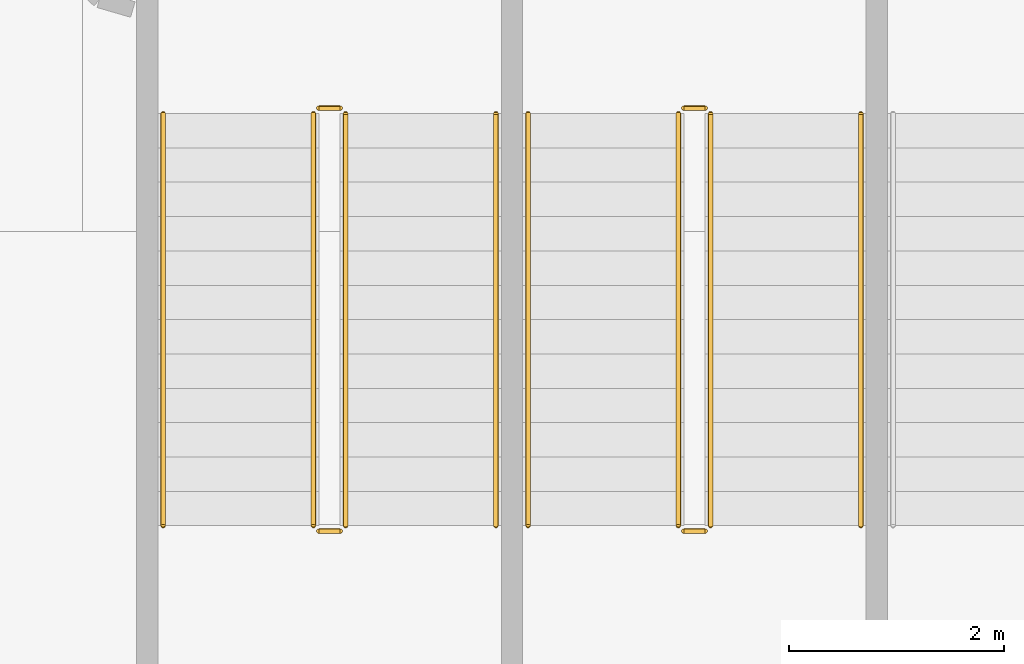
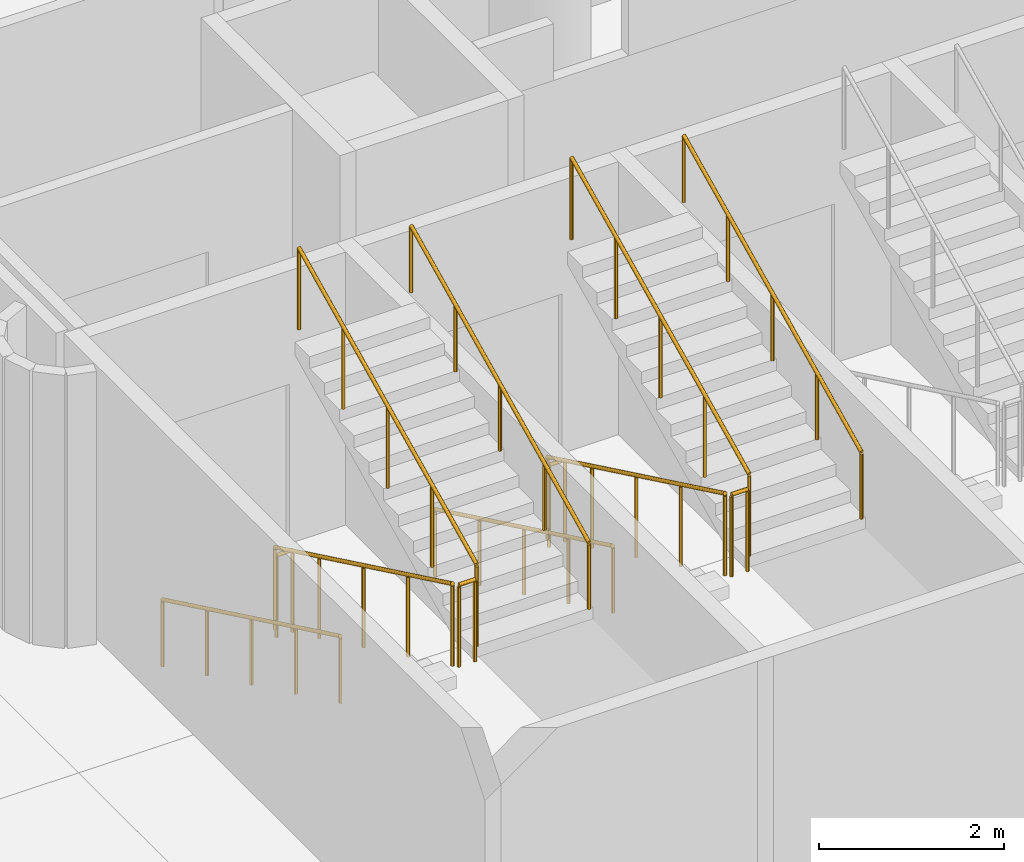
# One storey, part 113 of 142: 12 railings.
"""IFC4 building model written with IfcOpenShell, lengths in metres."""

import ifcopenshell
import ifcopenshell.guid

model = None  # the IFC model being written
_history = None  # IfcOwnerHistory: only IFC2X3 demands one
_inside = {}  # id of a spatial element -> (the spatial element, [elements in it])
_under = {}  # id of a project, library or spatial element -> (it, [spatial elements below it])
_declared = {}  # id of a project -> (the project, [libraries it declares])
_typed = {}  # id of a type object -> (the type object, [elements of that type])
_made_of = {}  # id of a material, layer set ... -> (it, [elements and type objects made of it])


def new_model(schema):
    """Start an empty IFC model of exactly this schema.

    Asked for "IFC4X3", IfcOpenShell would pick the latest addendum, in which some entities
    have other attributes; the version numbers below select the first issue.
    IFC2X3 requires an IfcOwnerHistory on every rooted entity: one is made here for all.
    """
    global model, _history
    if schema == "IFC4X3":
        model = ifcopenshell.file(schema_version=(4, 3, 0, 0))
    else:
        model = ifcopenshell.file(schema=schema)
    _inside.clear()
    _under.clear()
    _declared.clear()
    _typed.clear()
    _made_of.clear()
    _history = None
    if model.schema == "IFC2X3":
        org = make("IfcOrganization", Name="unknown")
        user = make(
            "IfcPersonAndOrganization",
            ThePerson=make("IfcPerson", FamilyName="unknown"),
            TheOrganization=org,
        )
        app = make(
            "IfcApplication",
            ApplicationDeveloper=org,
            Version="unknown",
            ApplicationFullName="unknown",
            ApplicationIdentifier="unknown",
        )
        _history = make(
            "IfcOwnerHistory",
            OwningUser=user,
            OwningApplication=app,
            ChangeAction="ADDED",
            CreationDate=0,
        )
    return model


def make(cls, **values):
    """One entity of the class cls with the attributes given. An attribute that is None is left unset."""
    return model.create_entity(
        cls, **{name: value for name, value in values.items() if value is not None}
    )


def rooted(cls, **values):
    """An entity with a GlobalId (a new one), such as an element, a storey or a relation."""
    return make(cls, GlobalId=ifcopenshell.guid.new(), OwnerHistory=_history, **values)


def si_unit(unit_type, name, prefix=None):
    """IfcSIUnit, for example si_unit("LENGTHUNIT", "METRE", prefix="MILLI")."""
    return make("IfcSIUnit", UnitType=unit_type, Prefix=prefix, Name=name)


def assignment(units):
    """IfcUnitAssignment: the units of a project."""
    return None if units is None else make("IfcUnitAssignment", Units=units)


def point(xyz):
    """IfcCartesianPoint."""
    return None if xyz is None else make("IfcCartesianPoint", Coordinates=xyz)


def direction(xyz):
    """IfcDirection."""
    return None if xyz is None else make("IfcDirection", DirectionRatios=xyz)


def frame(location, z_axis=None, x_axis=None):
    """IfcAxis2Placement3D, a coordinate frame: its origin and axes. An axis left out is left unset."""
    return make(
        "IfcAxis2Placement3D",
        Location=point(location),
        Axis=direction(z_axis),
        RefDirection=direction(x_axis),
    )


def frame_2d(location, x_axis=None):
    """IfcAxis2Placement2D, a coordinate frame in the plane: its origin and x axis."""
    return make(
        "IfcAxis2Placement2D", Location=point(location), RefDirection=direction(x_axis)
    )


def origin():
    """The frame at (0, 0, 0) with its axes left unset."""
    return frame((0.0, 0.0, 0.0))


def origin_2d():
    """The frame at (0, 0) in the plane with its x axis left unset."""
    return frame_2d((0.0, 0.0))


def place(relative_to, where):
    """IfcLocalPlacement: puts the frame where relative to a parent placement (None: the world)."""
    return make(
        "IfcLocalPlacement", PlacementRelTo=relative_to, RelativePlacement=where
    )


def context(
    kind, dimensions, precision=None, world=None, true_north=None, identifier=None
):
    """IfcGeometricRepresentationContext, for example the 3D "Model" context."""
    return make(
        "IfcGeometricRepresentationContext",
        ContextIdentifier=identifier,
        ContextType=kind,
        CoordinateSpaceDimension=dimensions,
        Precision=precision,
        WorldCoordinateSystem=world,
        TrueNorth=true_north,
    )


def subcontext(parent, identifier, kind, view, scale=None):
    """IfcGeometricRepresentationSubContext, for example "Body" below "Model"."""
    return make(
        "IfcGeometricRepresentationSubContext",
        ContextIdentifier=identifier,
        ContextType=kind,
        ParentContext=parent,
        TargetScale=scale,
        TargetView=view,
    )


def project(units=None, contexts=None):
    """IfcProject with its units and contexts."""
    return rooted(
        "IfcProject",
        Name="project",
        RepresentationContexts=contexts,
        UnitsInContext=assignment(units),
    )


def spatial(cls, under=None, at=None, **own):
    """A site, building, storey or space (cls), placed at a placement, below another one or the project."""
    s = rooted(cls, ObjectPlacement=at, **own)
    if under is not None:
        _under.setdefault(under.id(), (under, []))[1].append(s)
    return s


def profile(cls, at=None, kind="AREA", **sizes):
    """A parametric profile (cls). Its sizes go by their IFC names, for example OverallWidth=200.0."""
    return make(cls, ProfileType=kind, Position=at, **sizes)


def circle(**sizes):
    """IfcCircleProfileDef."""
    return profile("IfcCircleProfileDef", **sizes)


def extrude(swept, where, along, depth):
    """IfcExtrudedAreaSolid: the profile swept, set in the frame where, extruded along a direction by depth."""
    return make(
        "IfcExtrudedAreaSolid",
        SweptArea=swept,
        Position=where,
        ExtrudedDirection=direction(along),
        Depth=depth,
    )


def shape(context_of_items, identifier, shape_type, items):
    """IfcShapeRepresentation: the items that make up one representation, for example the "Body"."""
    return make(
        "IfcShapeRepresentation",
        ContextOfItems=context_of_items,
        RepresentationIdentifier=identifier,
        RepresentationType=shape_type,
        Items=items,
    )


def material(Name=None, Category=None):
    """IfcMaterial."""
    return make("IfcMaterial", Name=Name, Category=Category)


def made_of(thing, what):
    """Note that an element or type object is made of a material, layer set ...; save() writes the relation."""
    if what is not None:
        _made_of.setdefault(what.id(), (what, []))[1].append(thing)
    return thing


def type_object(cls, material=None, **own):
    """A type object (cls), such as IfcWallType, which elements share."""
    return made_of(rooted(cls, **own), material)


def element(
    cls,
    number,
    at=None,
    inside=None,
    cuts=None,
    type_object=None,
    material=None,
    context=None,
    identifier="Body",
    shape_type=None,
    held_by="IfcProductDefinitionShape",
    body=None,
    shapes=None,
    **own,
):
    """One element of the class cls, such as IfcWall. Its Tag is "e" and its number.

    at: its placement. inside: the storey or other place that contains it. cuts: it is an
    opening in that element (IfcRelVoidsElement). A single representation is given by context,
    identifier, shape_type and body (its items); several are given by shapes. held_by: the class
    of the entity that holds the representations. save() writes the other relations.
    """
    e = rooted(cls, Tag="e%d" % number, ObjectPlacement=at, **own)
    if body is not None:
        shapes = [shape(context, identifier, shape_type, body)]
    if shapes is not None:
        e.Representation = make(held_by, Representations=shapes)
    if inside is not None:
        _inside.setdefault(inside.id(), (inside, []))[1].append(e)
    if cuts is not None:
        rooted(
            "IfcRelVoidsElement", RelatingBuildingElement=cuts, RelatedOpeningElement=e
        )
    if type_object is not None:
        _typed.setdefault(type_object.id(), (type_object, []))[1].append(e)
    return made_of(e, material)


def aggregate(whole, parts):
    """IfcRelAggregates: a whole, such as a stair, and the parts it consists of."""
    return rooted("IfcRelAggregates", RelatingObject=whole, RelatedObjects=parts)


def save(model, path):
    """Write the relations noted so far, then the file.

    IfcRelAggregates (storeys below a building ...), IfcRelContainedInSpatialStructure (elements
    in a storey), IfcRelDefinesByType, IfcRelAssociatesMaterial and IfcRelDeclares: one each for
    every whole, place, type object, material and project.
    """
    for whole, parts in _under.values():
        aggregate(whole, parts)
    for where, things in _inside.values():
        rooted(
            "IfcRelContainedInSpatialStructure",
            RelatedElements=things,
            RelatingStructure=where,
        )
    for kind, things in _typed.values():
        rooted("IfcRelDefinesByType", RelatedObjects=things, RelatingType=kind)
    for what, things in _made_of.values():
        rooted("IfcRelAssociatesMaterial", RelatedObjects=things, RelatingMaterial=what)
    for by, libraries in _declared.values():
        rooted("IfcRelDeclares", RelatingContext=by, RelatedDefinitions=libraries)
    model.write(path)


model = new_model("IFC4")

# Units and contexts
model_context = context("Model", 3, precision=1e-05, world=origin(), true_north=direction((0.0, 1.0)))
body_context = subcontext(model_context, "Body", "Model", "MODEL_VIEW")
ifc_project = project(units=[si_unit("LENGTHUNIT", "METRE"), si_unit("AREAUNIT", "SQUARE_METRE"), si_unit("VOLUMEUNIT", "CUBIC_METRE"), si_unit("PLANEANGLEUNIT", "RADIAN"), si_unit("MASSUNIT", "GRAM", prefix="KILO")], contexts=[model_context])

# Site, building, storey
site_placement = place(None, origin())
site = spatial("IfcSite", under=ifc_project, at=site_placement, CompositionType="ELEMENT")
building_placement = place(site_placement, origin())
building = spatial("IfcBuilding", under=site, at=building_placement, Name="Meseta Stadium", CompositionType="ELEMENT")
storey_placement = place(building_placement, frame((0.0, 0.0, -4.0)))
storey = spatial("IfcBuildingStorey", under=building, at=storey_placement, Name="B1", CompositionType="ELEMENT", Elevation=-4.0)

# Railings
ifc_material_1 = material(Name="Steel S355", Category="steel")
railing_type_1 = type_object("IfcRailingType", Name="Stair guard 1100", PredefinedType="GUARDRAIL", material=ifc_material_1)
railing_1_placement = place(storey_placement, frame((-12.916748046875, -94.89990234375, 0.15380859375)))
element("IfcRailing", 1, at=railing_1_placement, inside=storey, type_object=railing_type_1, Name="ST93 B1 guard 1", PredefinedType="GUARDRAIL", context=body_context, shape_type="SweptSolid", body=[
    extrude(circle(Radius=0.02392578125, at=origin_2d()), frame((0.0, 0.0, 1.076171875), z_axis=(0.0, -0.901252854825, 0.433293539843), x_axis=(1.0, 0.0, 0.0)), (0.0, 0.0, 1.0), 4.2607421875),
    extrude(circle(Radius=0.02099609375, at=origin_2d()), origin(), (0.0, 0.0, 1.0), 1.052001953125),
    extrude(circle(Radius=0.02099609375, at=origin_2d()), frame((0.0, -0.9599609375, 0.46142578125)), (0.0, 0.0, 1.0), 1.052001953125),
    extrude(circle(Radius=0.02099609375, at=origin_2d()), frame((0.0, -1.919921875, 0.923095703125)), (0.0, 0.0, 1.0), 1.052001953125),
    extrude(circle(Radius=0.02099609375, at=origin_2d()), frame((0.0, -2.880126953125, 1.384765625)), (0.0, 0.0, 1.0), 1.052001953125),
    extrude(circle(Radius=0.02099609375, at=origin_2d()), frame((0.0, -3.840087890625, 1.84619140625)), (0.0, 0.0, 1.0), 1.052001953125),
])
railing_2_placement = place(storey_placement, frame((-12.86669921875, -98.7900390625, 2.0)))
element("IfcRailing", 2, at=railing_2_placement, inside=storey, type_object=railing_type_1, Name="ST93 B1 guard 2", PredefinedType="GUARDRAIL", context=body_context, shape_type="SweptSolid", body=[
    extrude(circle(Radius=0.02392578125, at=origin_2d()), frame((0.0, 0.0, 1.076171875), z_axis=(1.0, 0.0, 0.0), x_axis=(0.0, 1.0, 0.0)), (0.0, 0.0, 1.0), 0.199951171875),
    extrude(circle(Radius=0.02099609375, at=origin_2d()), origin(), (0.0, 0.0, 1.0), 1.052001953125),
    extrude(circle(Radius=0.02099609375, at=origin_2d()), frame((0.199951171875, 0.0, 0.0)), (0.0, 0.0, 1.0), 1.052001953125),
])
railing_3_placement = place(storey_placement, frame((-12.61669921875, -98.739990234375, 2.15380859375)))
element("IfcRailing", 3, at=railing_3_placement, inside=storey, type_object=railing_type_1, Name="ST93 B1 guard 3", PredefinedType="GUARDRAIL", context=body_context, shape_type="SweptSolid", body=[
    extrude(circle(Radius=0.02392578125, at=origin_2d()), frame((0.0, 0.0, 1.076171875), z_axis=(0.0, 0.901252854825, 0.433293539843), x_axis=(-1.0, 0.0, 0.0)), (0.0, 0.0, 1.0), 4.2607421875),
    extrude(circle(Radius=0.02099609375, at=origin_2d()), origin(), (0.0, 0.0, 1.0), 1.052001953125),
    extrude(circle(Radius=0.02099609375, at=origin_2d()), frame((0.0, 0.9599609375, 0.46142578125)), (0.0, 0.0, 1.0), 1.052001953125),
    extrude(circle(Radius=0.02099609375, at=origin_2d()), frame((0.0, 1.919921875, 0.923095703125)), (0.0, 0.0, 1.0), 1.052001953125),
    extrude(circle(Radius=0.02099609375, at=origin_2d()), frame((0.0, 2.880126953125, 1.384765625)), (0.0, 0.0, 1.0), 1.052001953125),
    extrude(circle(Radius=0.02099609375, at=origin_2d()), frame((0.0, 3.840087890625, 1.84619140625)), (0.0, 0.0, 1.0), 1.052001953125),
])
railing_4_placement = place(storey_placement, frame((-12.86669921875, -94.85009765625, 0.0)))
element("IfcRailing", 4, at=railing_4_placement, inside=storey, type_object=railing_type_1, Name="ST93 B1 guard 4", PredefinedType="GUARDRAIL", context=body_context, shape_type="SweptSolid", body=[
    extrude(circle(Radius=0.02392578125, at=origin_2d()), frame((0.0, 0.0, 1.076171875), z_axis=(1.0, 0.0, 0.0), x_axis=(0.0, 1.0, 0.0)), (0.0, 0.0, 1.0), 0.199951171875),
    extrude(circle(Radius=0.02099609375, at=origin_2d()), origin(), (0.0, 0.0, 1.0), 1.052001953125),
    extrude(circle(Radius=0.02099609375, at=origin_2d()), frame((0.199951171875, 0.0, 0.0)), (0.0, 0.0, 1.0), 1.052001953125),
])
railing_5_placement = place(storey_placement, frame((-9.5166015625, -94.89990234375, 0.15380859375)))
element("IfcRailing", 5, at=railing_5_placement, inside=storey, type_object=railing_type_1, Name="ST94 B1 guard 1", PredefinedType="GUARDRAIL", context=body_context, shape_type="SweptSolid", body=[
    extrude(circle(Radius=0.02392578125, at=origin_2d()), frame((0.0, 0.0, 1.076171875), z_axis=(0.0, -0.901252854825, 0.433293539843), x_axis=(1.0, 0.0, 0.0)), (0.0, 0.0, 1.0), 4.2607421875),
    extrude(circle(Radius=0.02099609375, at=origin_2d()), origin(), (0.0, 0.0, 1.0), 1.052001953125),
    extrude(circle(Radius=0.02099609375, at=origin_2d()), frame((0.0, -0.9599609375, 0.46142578125)), (0.0, 0.0, 1.0), 1.052001953125),
    extrude(circle(Radius=0.02099609375, at=origin_2d()), frame((0.0, -1.919921875, 0.923095703125)), (0.0, 0.0, 1.0), 1.052001953125),
    extrude(circle(Radius=0.02099609375, at=origin_2d()), frame((0.0, -2.880126953125, 1.384765625)), (0.0, 0.0, 1.0), 1.052001953125),
    extrude(circle(Radius=0.02099609375, at=origin_2d()), frame((0.0, -3.840087890625, 1.84619140625)), (0.0, 0.0, 1.0), 1.052001953125),
])
railing_6_placement = place(storey_placement, frame((-9.466552734375, -98.7900390625, 2.0)))
element("IfcRailing", 6, at=railing_6_placement, inside=storey, type_object=railing_type_1, Name="ST94 B1 guard 2", PredefinedType="GUARDRAIL", context=body_context, shape_type="SweptSolid", body=[
    extrude(circle(Radius=0.02392578125, at=origin_2d()), frame((0.0, 0.0, 1.076171875), z_axis=(1.0, 0.0, 0.0), x_axis=(0.0, 1.0, 0.0)), (0.0, 0.0, 1.0), 0.199951171875),
    extrude(circle(Radius=0.02099609375, at=origin_2d()), origin(), (0.0, 0.0, 1.0), 1.052001953125),
    extrude(circle(Radius=0.02099609375, at=origin_2d()), frame((0.199951171875, 0.0, 0.0)), (0.0, 0.0, 1.0), 1.052001953125),
])
railing_7_placement = place(storey_placement, frame((-9.216552734375, -98.739990234375, 2.15380859375)))
element("IfcRailing", 7, at=railing_7_placement, inside=storey, type_object=railing_type_1, Name="ST94 B1 guard 3", PredefinedType="GUARDRAIL", context=body_context, shape_type="SweptSolid", body=[
    extrude(circle(Radius=0.02392578125, at=origin_2d()), frame((0.0, 0.0, 1.076171875), z_axis=(0.0, 0.901252854825, 0.433293539843), x_axis=(-1.0, 0.0, 0.0)), (0.0, 0.0, 1.0), 4.2607421875),
    extrude(circle(Radius=0.02099609375, at=origin_2d()), origin(), (0.0, 0.0, 1.0), 1.052001953125),
    extrude(circle(Radius=0.02099609375, at=origin_2d()), frame((0.0, 0.9599609375, 0.46142578125)), (0.0, 0.0, 1.0), 1.052001953125),
    extrude(circle(Radius=0.02099609375, at=origin_2d()), frame((0.0, 1.919921875, 0.923095703125)), (0.0, 0.0, 1.0), 1.052001953125),
    extrude(circle(Radius=0.02099609375, at=origin_2d()), frame((0.0, 2.880126953125, 1.384765625)), (0.0, 0.0, 1.0), 1.052001953125),
    extrude(circle(Radius=0.02099609375, at=origin_2d()), frame((0.0, 3.840087890625, 1.84619140625)), (0.0, 0.0, 1.0), 1.052001953125),
])
railing_8_placement = place(storey_placement, frame((-9.466552734375, -94.85009765625, 0.0)))
element("IfcRailing", 8, at=railing_8_placement, inside=storey, type_object=railing_type_1, Name="ST94 B1 guard 4", PredefinedType="GUARDRAIL", context=body_context, shape_type="SweptSolid", body=[
    extrude(circle(Radius=0.02392578125, at=origin_2d()), frame((0.0, 0.0, 1.076171875), z_axis=(1.0, 0.0, 0.0), x_axis=(0.0, 1.0, 0.0)), (0.0, 0.0, 1.0), 0.199951171875),
    extrude(circle(Radius=0.02099609375, at=origin_2d()), origin(), (0.0, 0.0, 1.0), 1.052001953125),
    extrude(circle(Radius=0.02099609375, at=origin_2d()), frame((0.199951171875, 0.0, 0.0)), (0.0, 0.0, 1.0), 1.052001953125),
])
ifc_material_2 = material(Name="Steel S355", Category="steel")
railing_type_2 = type_object("IfcRailingType", Name="Stair handrail 900", PredefinedType="HANDRAIL", material=ifc_material_2)
railing_9_placement = place(storey_placement, frame((-14.316650390625, -94.89990234375, 0.15380859375)))
element("IfcRailing", 9, at=railing_9_placement, inside=storey, type_object=railing_type_2, Name="ST93 B1 handrail 1", PredefinedType="HANDRAIL", context=body_context, shape_type="SweptSolid", body=[
    extrude(circle(Radius=0.02392578125, at=origin_2d()), frame((0.0, 0.0, 0.8759765625), z_axis=(0.0, -0.901252854825, 0.433293539843), x_axis=(1.0, 0.0, 0.0)), (0.0, 0.0, 1.0), 4.2607421875),
    extrude(circle(Radius=0.02099609375, at=origin_2d()), origin(), (0.0, 0.0, 1.0), 0.851806640625),
    extrude(circle(Radius=0.02099609375, at=origin_2d()), frame((0.0, -0.9599609375, 0.46142578125)), (0.0, 0.0, 1.0), 0.851806640625),
    extrude(circle(Radius=0.02099609375, at=origin_2d()), frame((0.0, -1.919921875, 0.923095703125)), (0.0, 0.0, 1.0), 0.851806640625),
    extrude(circle(Radius=0.02099609375, at=origin_2d()), frame((0.0, -2.880126953125, 1.384765625)), (0.0, 0.0, 1.0), 0.851806640625),
    extrude(circle(Radius=0.02099609375, at=origin_2d()), frame((0.0, -3.840087890625, 1.84619140625)), (0.0, 0.0, 1.0), 0.851806640625),
])
railing_10_placement = place(storey_placement, frame((-11.216552734375, -98.739990234375, 2.15380859375)))
element("IfcRailing", 10, at=railing_10_placement, inside=storey, type_object=railing_type_2, Name="ST93 B1 handrail 2", PredefinedType="HANDRAIL", context=body_context, shape_type="SweptSolid", body=[
    extrude(circle(Radius=0.02392578125, at=origin_2d()), frame((0.0, 0.0, 0.8759765625), z_axis=(0.0, 0.901252854825, 0.433293539843), x_axis=(-1.0, 0.0, 0.0)), (0.0, 0.0, 1.0), 4.2607421875),
    extrude(circle(Radius=0.02099609375, at=origin_2d()), origin(), (0.0, 0.0, 1.0), 0.851806640625),
    extrude(circle(Radius=0.02099609375, at=origin_2d()), frame((0.0, 0.9599609375, 0.46142578125)), (0.0, 0.0, 1.0), 0.851806640625),
    extrude(circle(Radius=0.02099609375, at=origin_2d()), frame((0.0, 1.919921875, 0.923095703125)), (0.0, 0.0, 1.0), 0.851806640625),
    extrude(circle(Radius=0.02099609375, at=origin_2d()), frame((0.0, 2.880126953125, 1.384765625)), (0.0, 0.0, 1.0), 0.851806640625),
    extrude(circle(Radius=0.02099609375, at=origin_2d()), frame((0.0, 3.840087890625, 1.84619140625)), (0.0, 0.0, 1.0), 0.851806640625),
])
railing_11_placement = place(storey_placement, frame((-10.916748046875, -94.89990234375, 0.15380859375)))
element("IfcRailing", 11, at=railing_11_placement, inside=storey, type_object=railing_type_2, Name="ST94 B1 handrail 1", PredefinedType="HANDRAIL", context=body_context, shape_type="SweptSolid", body=[
    extrude(circle(Radius=0.02392578125, at=origin_2d()), frame((0.0, 0.0, 0.8759765625), z_axis=(0.0, -0.901252854825, 0.433293539843), x_axis=(1.0, 0.0, 0.0)), (0.0, 0.0, 1.0), 4.2607421875),
    extrude(circle(Radius=0.02099609375, at=origin_2d()), origin(), (0.0, 0.0, 1.0), 0.851806640625),
    extrude(circle(Radius=0.02099609375, at=origin_2d()), frame((0.0, -0.9599609375, 0.46142578125)), (0.0, 0.0, 1.0), 0.851806640625),
    extrude(circle(Radius=0.02099609375, at=origin_2d()), frame((0.0, -1.919921875, 0.923095703125)), (0.0, 0.0, 1.0), 0.851806640625),
    extrude(circle(Radius=0.02099609375, at=origin_2d()), frame((0.0, -2.880126953125, 1.384765625)), (0.0, 0.0, 1.0), 0.851806640625),
    extrude(circle(Radius=0.02099609375, at=origin_2d()), frame((0.0, -3.840087890625, 1.84619140625)), (0.0, 0.0, 1.0), 0.851806640625),
])
railing_12_placement = place(storey_placement, frame((-7.816650390625, -98.739990234375, 2.15380859375)))
element("IfcRailing", 12, at=railing_12_placement, inside=storey, type_object=railing_type_2, Name="ST94 B1 handrail 2", PredefinedType="HANDRAIL", context=body_context, shape_type="SweptSolid", body=[
    extrude(circle(Radius=0.02392578125, at=origin_2d()), frame((0.0, 0.0, 0.8759765625), z_axis=(0.0, 0.901252854825, 0.433293539843), x_axis=(-1.0, 0.0, 0.0)), (0.0, 0.0, 1.0), 4.2607421875),
    extrude(circle(Radius=0.02099609375, at=origin_2d()), origin(), (0.0, 0.0, 1.0), 0.851806640625),
    extrude(circle(Radius=0.02099609375, at=origin_2d()), frame((0.0, 0.9599609375, 0.46142578125)), (0.0, 0.0, 1.0), 0.851806640625),
    extrude(circle(Radius=0.02099609375, at=origin_2d()), frame((0.0, 1.919921875, 0.923095703125)), (0.0, 0.0, 1.0), 0.851806640625),
    extrude(circle(Radius=0.02099609375, at=origin_2d()), frame((0.0, 2.880126953125, 1.384765625)), (0.0, 0.0, 1.0), 0.851806640625),
    extrude(circle(Radius=0.02099609375, at=origin_2d()), frame((0.0, 3.840087890625, 1.84619140625)), (0.0, 0.0, 1.0), 0.851806640625),
])

save(model, "model.ifc")
